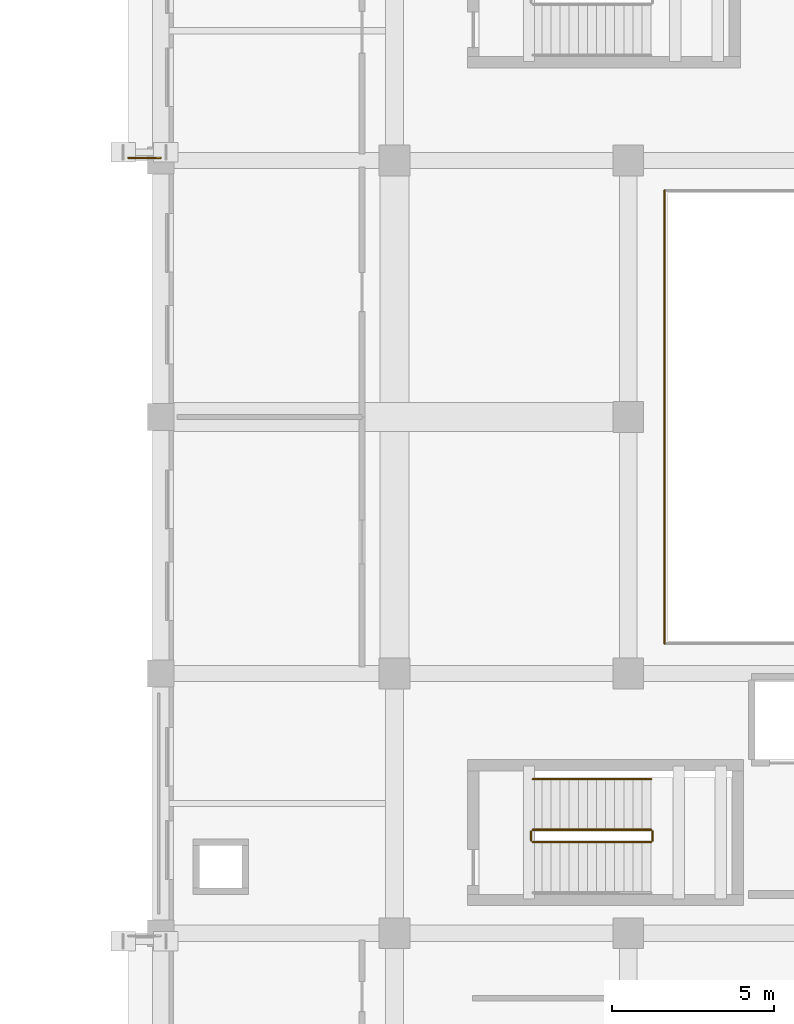
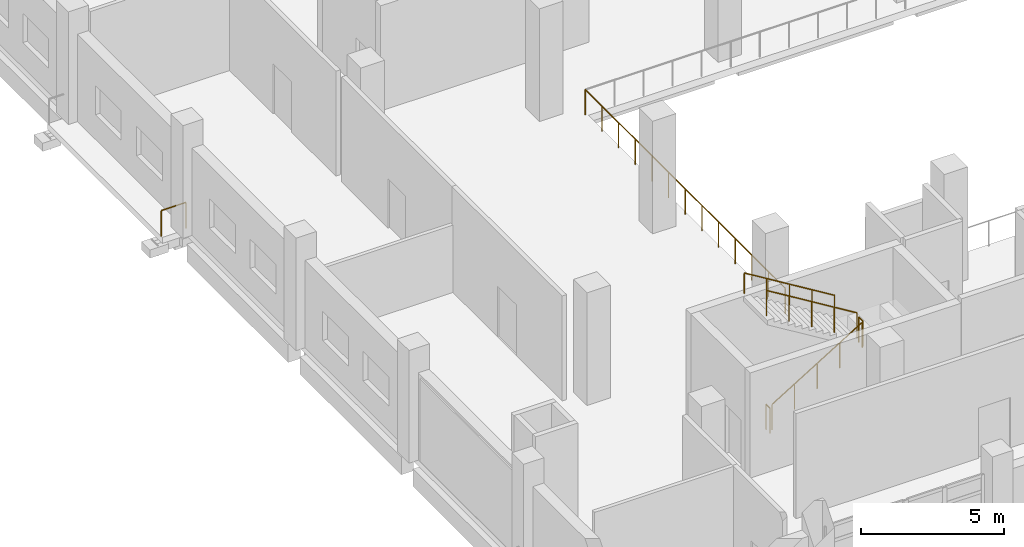
# One storey, part 81 of 90: 7 railings.
"""IFC4 building model written with IfcOpenShell, lengths in metres."""

from ifc_helpers import new_model, si_unit, direction, frame, origin, origin_2d, place, context, subcontext, project, spatial, circle, extrude, material, type_object, element, save


model = new_model("IFC4")

# Units and contexts
model_context = context("Model", 3, precision=1e-05, world=origin(), true_north=direction((0.0, 1.0)))
body_context = subcontext(model_context, "Body", "Model", "MODEL_VIEW")
ifc_project = project(units=[si_unit("LENGTHUNIT", "METRE"), si_unit("AREAUNIT", "SQUARE_METRE"), si_unit("VOLUMEUNIT", "CUBIC_METRE"), si_unit("PLANEANGLEUNIT", "RADIAN"), si_unit("MASSUNIT", "GRAM", prefix="KILO")], contexts=[model_context])

# Site, building, storey
site_placement = place(None, origin())
site = spatial("IfcSite", under=ifc_project, at=site_placement, CompositionType="ELEMENT")
building_placement = place(site_placement, origin())
building = spatial("IfcBuilding", under=site, at=building_placement, Name="Kelarvand Opera House", CompositionType="ELEMENT")
storey_placement = place(building_placement, frame((0.0, 0.0, 5.39990234375)))
storey = spatial("IfcBuildingStorey", under=building, at=storey_placement, Name="L01", CompositionType="ELEMENT", Elevation=5.39990234375)

# Railings
ifc_material_1 = material(Name="Brushed bronze tubular rail")
railing_type_1 = type_object("IfcRailingType", Name="Brushed Bronze Stair Wall Handrail 900", PredefinedType="HANDRAIL", material=ifc_material_1)
railing_1_placement = place(storey_placement, frame((67.10009765625, 51.35009765625, 2.571533203125)))
element("IfcRailing", 1, at=railing_1_placement, inside=storey, type_object=railing_type_1, Name="L01 ST-02 stair handrail 2", PredefinedType="HANDRAIL", context=body_context, shape_type="SweptSolid", body=[
    extrude(circle(Radius=0.02392578125, at=origin_2d()), frame((0.0, 0.0, 0.8759765625), z_axis=(-0.852865859571, 0.0, 0.52213008492), x_axis=(0.0, -1.0, 0.0)), (0.0, 0.0, 1.0), 4.26806640625),
    extrude(circle(Radius=0.02099609375, at=origin_2d()), origin(), (0.0, 0.0, 1.0), 0.851806640625),
    extrude(circle(Radius=0.02099609375, at=origin_2d()), frame((-0.91015625, 0.0, 0.55712890625)), (0.0, 0.0, 1.0), 0.851806640625),
    extrude(circle(Radius=0.02099609375, at=origin_2d()), frame((-1.820068359375, 0.0, 1.1142578125)), (0.0, 0.0, 1.0), 0.851806640625),
    extrude(circle(Radius=0.02099609375, at=origin_2d()), frame((-2.72998046875, 0.0, 1.67138671875)), (0.0, 0.0, 1.0), 0.851806640625),
    extrude(circle(Radius=0.02099609375, at=origin_2d()), frame((-3.64013671875, 0.0, 2.228515625)), (0.0, 0.0, 1.0), 0.851806640625),
])
ifc_material_2 = material(Name="Laminated safety glass with bronze cap rail", Category="glass")
railing_type_2 = type_object("IfcRailingType", Name="Laminated Glass and Bronze Foyer Balustrade 1120", PredefinedType="BALUSTRADE", material=ifc_material_2)
railing_2_placement = place(storey_placement, frame((51.0, 70.47998046875, 0.0)))
element("IfcRailing", 2, at=railing_2_placement, inside=storey, type_object=railing_type_2, Name="V1 L01 Balustrade 125", PredefinedType="BALUSTRADE", context=body_context, shape_type="SweptSolid", body=[
    extrude(circle(Radius=0.02392578125, at=origin_2d()), frame((0.0, 0.0, 1.09619140625), z_axis=(1.0, 0.0, 0.0), x_axis=(0.0, 1.0, 0.0)), (0.0, 0.0, 1.0), 1.0),
    extrude(circle(Radius=0.02099609375, at=origin_2d()), origin(), (0.0, 0.0, 1.0), 1.072021484375),
    extrude(circle(Radius=0.02099609375, at=origin_2d()), frame((1.0, 0.0, 0.0)), (0.0, 0.0, 1.0), 1.072021484375),
])
ifc_material_3 = material(Name="Powder-coated Steel S355", Category="steel")
railing_type_3 = type_object("IfcRailingType", Name="Painted Steel Stair and Void Guardrail 1100", PredefinedType="GUARDRAIL", material=ifc_material_3)
railing_3_placement = place(storey_placement, frame((63.4599609375, 49.409912109375, 0.171630859375)))
element("IfcRailing", 3, at=railing_3_placement, inside=storey, type_object=railing_type_3, Name="L01 ST-02 stair guard 1", PredefinedType="GUARDRAIL", context=body_context, shape_type="SweptSolid", body=[
    extrude(circle(Radius=0.02392578125, at=origin_2d()), frame((0.0, 0.0, 1.076171875), z_axis=(0.852865859571, 0.0, 0.52213008492), x_axis=(0.0, 1.0, 0.0)), (0.0, 0.0, 1.0), 4.26806640625),
    extrude(circle(Radius=0.02099609375, at=origin_2d()), origin(), (0.0, 0.0, 1.0), 1.052001953125),
    extrude(circle(Radius=0.02099609375, at=origin_2d()), frame((0.91015625, 0.0, 0.55712890625)), (0.0, 0.0, 1.0), 1.052001953125),
    extrude(circle(Radius=0.02099609375, at=origin_2d()), frame((1.820068359375, 0.0, 1.1142578125)), (0.0, 0.0, 1.0), 1.052001953125),
    extrude(circle(Radius=0.02099609375, at=origin_2d()), frame((2.72998046875, 0.0, 1.67138671875)), (0.0, 0.0, 1.0), 1.052001953125),
    extrude(circle(Radius=0.02099609375, at=origin_2d()), frame((3.64013671875, 0.0, 2.228515625)), (0.0, 0.0, 1.0), 1.052001953125),
])
railing_4_placement = place(storey_placement, frame((67.14990234375, 49.4599609375, 2.400146484375)))
element("IfcRailing", 4, at=railing_4_placement, inside=storey, type_object=railing_type_3, Name="L01 ST-02 stair guard 2", PredefinedType="GUARDRAIL", context=body_context, shape_type="SweptSolid", body=[
    extrude(circle(Radius=0.02392578125, at=origin_2d()), frame((0.0, 0.0, 1.076171875), z_axis=(0.0, 1.0, 0.0), x_axis=(-1.0, 0.0, 0.0)), (0.0, 0.0, 1.0), 0.280029296875),
    extrude(circle(Radius=0.02099609375, at=origin_2d()), origin(), (0.0, 0.0, 1.0), 1.052001953125),
    extrude(circle(Radius=0.02099609375, at=origin_2d()), frame((0.0, 0.280029296875, 0.0)), (0.0, 0.0, 1.0), 1.052001953125),
])
railing_5_placement = place(storey_placement, frame((67.10009765625, 49.7900390625, 2.571533203125)))
element("IfcRailing", 5, at=railing_5_placement, inside=storey, type_object=railing_type_3, Name="L01 ST-02 stair guard 3", PredefinedType="GUARDRAIL", context=body_context, shape_type="SweptSolid", body=[
    extrude(circle(Radius=0.02392578125, at=origin_2d()), frame((0.0, 0.0, 1.076171875), z_axis=(-0.852865859571, 0.0, 0.52213008492), x_axis=(0.0, -1.0, 0.0)), (0.0, 0.0, 1.0), 4.26806640625),
    extrude(circle(Radius=0.02099609375, at=origin_2d()), origin(), (0.0, 0.0, 1.0), 1.052001953125),
    extrude(circle(Radius=0.02099609375, at=origin_2d()), frame((-0.91015625, 0.0, 0.55712890625)), (0.0, 0.0, 1.0), 1.052001953125),
    extrude(circle(Radius=0.02099609375, at=origin_2d()), frame((-1.820068359375, 0.0, 1.1142578125)), (0.0, 0.0, 1.0), 1.052001953125),
    extrude(circle(Radius=0.02099609375, at=origin_2d()), frame((-2.72998046875, 0.0, 1.67138671875)), (0.0, 0.0, 1.0), 1.052001953125),
    extrude(circle(Radius=0.02099609375, at=origin_2d()), frame((-3.64013671875, 0.0, 2.228515625)), (0.0, 0.0, 1.0), 1.052001953125),
])
railing_6_placement = place(storey_placement, frame((63.409912109375, 49.4599609375, 0.0)))
element("IfcRailing", 6, at=railing_6_placement, inside=storey, type_object=railing_type_3, Name="L01 ST-02 stair guard 4", PredefinedType="GUARDRAIL", context=body_context, shape_type="SweptSolid", body=[
    extrude(circle(Radius=0.02392578125, at=origin_2d()), frame((0.0, 0.0, 1.076171875), z_axis=(0.0, 1.0, 0.0), x_axis=(-1.0, 0.0, 0.0)), (0.0, 0.0, 1.0), 0.280029296875),
    extrude(circle(Radius=0.02099609375, at=origin_2d()), origin(), (0.0, 0.0, 1.0), 1.052001953125),
    extrude(circle(Radius=0.02099609375, at=origin_2d()), frame((0.0, 0.280029296875, 0.0)), (0.0, 0.0, 1.0), 1.052001953125),
])
railing_7_placement = place(storey_placement, frame((67.52001953125, 55.52001953125, 0.0)))
element("IfcRailing", 7, at=railing_7_placement, inside=storey, type_object=railing_type_3, Name="V2 L01 Guardrail 35", PredefinedType="GUARDRAIL", context=body_context, shape_type="SweptSolid", body=[
    extrude(circle(Radius=0.02392578125, at=origin_2d()), frame((0.0, 0.0, 1.076171875), z_axis=(0.0, 1.0, 0.0), x_axis=(-1.0, 0.0, 0.0)), (0.0, 0.0, 1.0), 13.9599609375),
    extrude(circle(Radius=0.02099609375, at=origin_2d()), origin(), (0.0, 0.0, 1.0), 1.052001953125),
    extrude(circle(Radius=0.02099609375, at=origin_2d()), frame((0.0, 1.163330078125, 0.0)), (0.0, 0.0, 1.0), 1.052001953125),
    extrude(circle(Radius=0.02099609375, at=origin_2d()), frame((0.0, 2.32666015625, 0.0)), (0.0, 0.0, 1.0), 1.052001953125),
    extrude(circle(Radius=0.02099609375, at=origin_2d()), frame((0.0, 3.489990234375, 0.0)), (0.0, 0.0, 1.0), 1.052001953125),
    extrude(circle(Radius=0.02099609375, at=origin_2d()), frame((0.0, 4.6533203125, 0.0)), (0.0, 0.0, 1.0), 1.052001953125),
    extrude(circle(Radius=0.02099609375, at=origin_2d()), frame((0.0, 5.816650390625, 0.0)), (0.0, 0.0, 1.0), 1.052001953125),
    extrude(circle(Radius=0.02099609375, at=origin_2d()), frame((0.0, 6.97998046875, 0.0)), (0.0, 0.0, 1.0), 1.052001953125),
    extrude(circle(Radius=0.02099609375, at=origin_2d()), frame((0.0, 8.143310546875, 0.0)), (0.0, 0.0, 1.0), 1.052001953125),
    extrude(circle(Radius=0.02099609375, at=origin_2d()), frame((0.0, 9.306640625, 0.0)), (0.0, 0.0, 1.0), 1.052001953125),
    extrude(circle(Radius=0.02099609375, at=origin_2d()), frame((0.0, 10.469970703125, 0.0)), (0.0, 0.0, 1.0), 1.052001953125),
    extrude(circle(Radius=0.02099609375, at=origin_2d()), frame((0.0, 11.63330078125, 0.0)), (0.0, 0.0, 1.0), 1.052001953125),
    extrude(circle(Radius=0.02099609375, at=origin_2d()), frame((0.0, 12.796630859375, 0.0)), (0.0, 0.0, 1.0), 1.052001953125),
    extrude(circle(Radius=0.02099609375, at=origin_2d()), frame((0.0, 13.9599609375, 0.0)), (0.0, 0.0, 1.0), 1.052001953125),
])

save(model, "model.ifc")
